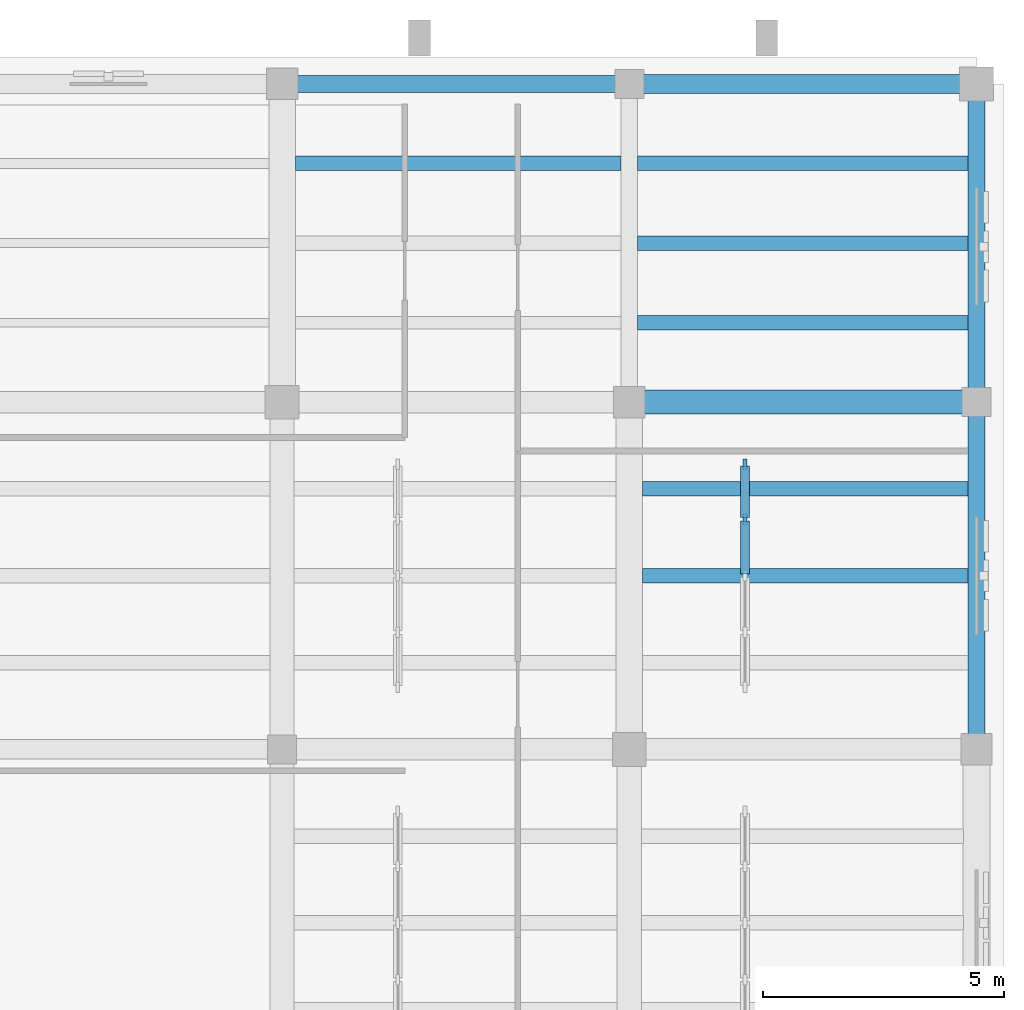
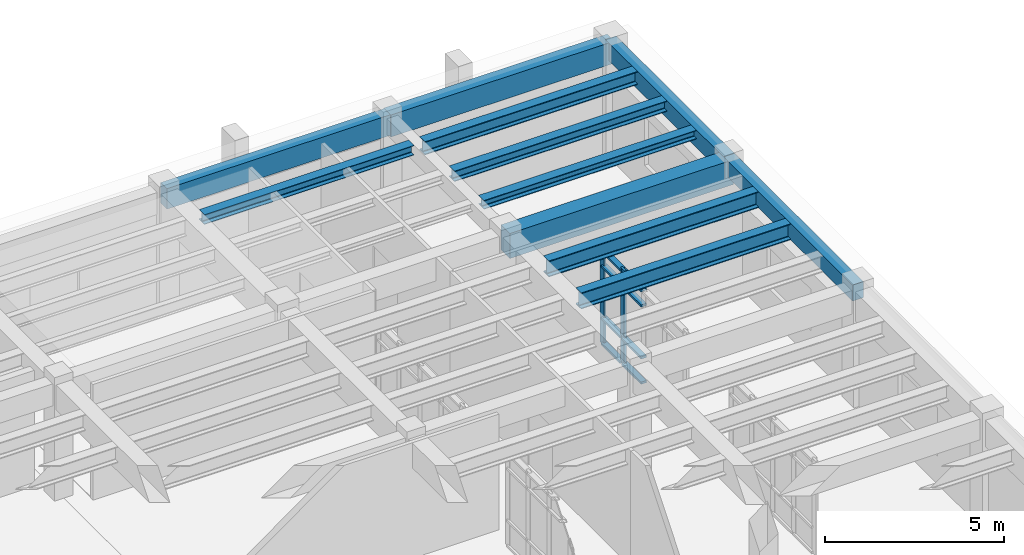
# One storey, part 12 of 40: 11 beams, 10 members, 1 element without a shape of its own.
"""IFC4 building model written with IfcOpenShell, lengths in metres."""

from ifc_helpers import new_model, si_unit, direction, frame, origin, origin_2d, place, context, subcontext, project, spatial, rectangle, i_section, extrude, material, material_profile, profile_set, type_object, element, aggregate, save


model = new_model("IFC4")

# Units and contexts
model_context = context("Model", 3, precision=1e-05, world=origin(), true_north=direction((0.0, 1.0)))
body_context = subcontext(model_context, "Body", "Model", "MODEL_VIEW")
ifc_project = project(units=[si_unit("LENGTHUNIT", "METRE"), si_unit("AREAUNIT", "SQUARE_METRE"), si_unit("VOLUMEUNIT", "CUBIC_METRE"), si_unit("PLANEANGLEUNIT", "RADIAN"), si_unit("MASSUNIT", "GRAM", prefix="KILO")], contexts=[model_context])

# Site, building, storey
site_placement = place(None, origin())
site = spatial("IfcSite", under=ifc_project, at=site_placement, CompositionType="ELEMENT")
building_placement = place(site_placement, origin())
building = spatial("IfcBuilding", under=site, at=building_placement, Name="Mithqara Police Headquarters", CompositionType="ELEMENT")
storey_placement = place(building_placement, frame((0.0, 0.0, 13.800048828125)))
storey = spatial("IfcBuildingStorey", under=building, at=storey_placement, Name="L03", CompositionType="ELEMENT", Elevation=13.800048828125)

# Beams
ifc_material_1 = material(Name="Steel S355JR", Category="steel")
ifc_material_profile_1 = material_profile(ifc_material_1, i_section(OverallWidth=0.300048828125, OverallDepth=0.300048828125, WebThickness=0.010986328125, FlangeThickness=0.01904296875, FilletRadius=0.027099609375, at=origin_2d()), Name="HEB 300")
ifc_profile_set_1 = profile_set([ifc_material_profile_1], Name="Steel S355JR")
beam_type_1 = type_object("IfcBeamType", Name="BEAM HEB300", PredefinedType="BEAM", material=ifc_profile_set_1)
beam_1_placement = place(storey_placement, frame((159.175048828125, 109.050048828125, 3.7900390625), z_axis=(1.0, 0.0, 0.0), x_axis=(0.0, 1.0, 0.0)))
element("IfcBeam", 1, at=beam_1_placement, inside=storey, type_object=beam_type_1, Name="L03 Composite Steel Joist 23-24/R.1", PredefinedType="BEAM", context=body_context, shape_type="SweptSolid", body=[
    extrude(i_section(OverallWidth=0.300048828125, OverallDepth=0.300048828125, WebThickness=0.010986328125, FlangeThickness=0.01904296875, FilletRadius=0.027099609375, at=origin_2d()), origin(), (0.0, 0.0, 1.0), 6.849853515625),
])
ifc_material_profile_2 = material_profile(ifc_material_1, i_section(OverallWidth=0.300048828125, OverallDepth=0.360107421875, WebThickness=0.012451171875, FlangeThickness=0.0224609375, FilletRadius=0.027099609375, at=origin_2d()), Name="HEB 360")
ifc_profile_set_2 = profile_set([ifc_material_profile_2], Name="Steel S355JR")
beam_type_2 = type_object("IfcBeamType", Name="BEAM HEB360", PredefinedType="BEAM", material=ifc_profile_set_2)
beam_2_placement = place(storey_placement, frame((159.175048828125, 110.699951171875, 3.760009765625), z_axis=(1.0, 0.0, 0.0), x_axis=(0.0, 1.0, 0.0)))
element("IfcBeam", 2, at=beam_2_placement, inside=storey, type_object=beam_type_2, Name="L03 Composite Steel Joist 23-24/R.2", PredefinedType="BEAM", context=body_context, shape_type="SweptSolid", body=[
    extrude(i_section(OverallWidth=0.300048828125, OverallDepth=0.360107421875, WebThickness=0.012451171875, FlangeThickness=0.0224609375, FilletRadius=0.027099609375, at=origin_2d()), origin(), (0.0, 0.0, 1.0), 6.849853515625),
])
ifc_material_profile_3 = material_profile(ifc_material_1, i_section(OverallWidth=0.300048828125, OverallDepth=0.449951171875, WebThickness=0.013916015625, FlangeThickness=0.02587890625, FilletRadius=0.027099609375, at=origin_2d()), Name="HEB 450")
ifc_profile_set_3 = profile_set([ifc_material_profile_3], Name="Steel S355JR")
beam_type_3 = type_object("IfcBeamType", Name="BEAM HEB450", PredefinedType="BEAM", material=ifc_profile_set_3)
beam_3_placement = place(storey_placement, frame((159.175048828125, 112.35009765625, 3.71484375), z_axis=(1.0, 0.0, 0.0), x_axis=(0.0, 1.0, 0.0)))
element("IfcBeam", 3, at=beam_3_placement, inside=storey, type_object=beam_type_3, Name="L03 Composite Steel Joist 23-24/R.3", PredefinedType="BEAM", context=body_context, shape_type="SweptSolid", body=[
    extrude(i_section(OverallWidth=0.300048828125, OverallDepth=0.449951171875, WebThickness=0.013916015625, FlangeThickness=0.02587890625, FilletRadius=0.027099609375, at=origin_2d()), origin(), (0.0, 0.0, 1.0), 6.849853515625),
])
ifc_material_profile_4 = material_profile(ifc_material_1, i_section(OverallWidth=0.300048828125, OverallDepth=0.550048828125, WebThickness=0.014892578125, FlangeThickness=0.029052734375, FilletRadius=0.027099609375, at=origin_2d()), Name="HEB 550")
ifc_profile_set_4 = profile_set([ifc_material_profile_4], Name="Steel S355JR")
beam_type_4 = type_object("IfcBeamType", Name="BEAM HEB550", PredefinedType="BEAM", material=ifc_profile_set_4)
for number, where, z_axis, x_axis, name in (
    (4, (159.27490234375, 103.800048828125, 3.6650390625), (1.0, 0.0, 0.0), (0.0, 1.0, 0.0), "L03 Composite Steel Joist 23-24/Q.2"),
    (5, (159.27490234375, 105.60009765625, 3.6650390625), (1.0, 0.0, 0.0), (0.0, 1.0, 0.0), "L03 Composite Steel Joist 23-24/Q.3"),
):
    element("IfcBeam", number, at=place(storey_placement, frame(where, z_axis=z_axis, x_axis=x_axis)), inside=storey, type_object=beam_type_4, Name=name, PredefinedType="BEAM", context=body_context, shape_type="SweptSolid", body=[
        extrude(i_section(OverallWidth=0.300048828125, OverallDepth=0.550048828125, WebThickness=0.014892578125, FlangeThickness=0.029052734375, FilletRadius=0.027099609375, at=origin_2d()), origin(), (0.0, 0.0, 1.0), 6.75),
    ])
ifc_material_2 = material(Name="Concrete C40/50", Category="concrete")
ifc_material_profile_5 = material_profile(ifc_material_2, rectangle(XDim=0.35009765625, YDim=0.550048828125, at=origin_2d()), Name="RC 350x550")
ifc_profile_set_5 = profile_set([ifc_material_profile_5], Name="Concrete C40/50")
beam_type_5 = type_object("IfcBeamType", Name="BEAM RC350X550", PredefinedType="BEAM", material=ifc_profile_set_5)
beam_4_placement = place(storey_placement, frame((166.199951171875, 100.199951171875, 3.6650390625), z_axis=(0.0, 1.0, 0.0), x_axis=(-1.0, 0.0, 0.0)))
element("IfcBeam", 6, at=beam_4_placement, inside=storey, type_object=beam_type_5, Name="L03 Girder 24/Q-R", PredefinedType="BEAM", context=body_context, shape_type="SweptSolid", body=[
    extrude(rectangle(XDim=0.35009765625, YDim=0.550048828125, at=origin_2d()), origin(), (0.0, 0.0, 1.0), 7.199951171875),
])
ifc_material_profile_6 = material_profile(ifc_material_2, rectangle(XDim=0.35009765625, YDim=0.60009765625, at=origin_2d()), Name="RC 350x600")
ifc_profile_set_6 = profile_set([ifc_material_profile_6], Name="Concrete C40/50")
beam_type_6 = type_object("IfcBeamType", Name="BEAM RC350X600", PredefinedType="BEAM", material=ifc_profile_set_6)
beam_5_placement = place(storey_placement, frame((166.199951171875, 107.39990234375, 3.639892578125), z_axis=(0.0, 1.0, 0.0), x_axis=(-1.0, 0.0, 0.0)))
element("IfcBeam", 7, at=beam_5_placement, inside=storey, type_object=beam_type_6, Name="L03 Girder 24/R-S", PredefinedType="BEAM", context=body_context, shape_type="SweptSolid", body=[
    extrude(rectangle(XDim=0.35009765625, YDim=0.60009765625, at=origin_2d()), origin(), (0.0, 0.0, 1.0), 6.60009765625),
])
ifc_material_profile_7 = material_profile(ifc_material_2, rectangle(XDim=0.5, YDim=0.85009765625, at=origin_2d()), Name="RC 500x850")
ifc_profile_set_7 = profile_set([ifc_material_profile_7], Name="Concrete C40/50")
beam_type_7 = type_object("IfcBeamType", Name="BEAM RC500X850", PredefinedType="BEAM", material=ifc_profile_set_7)
beam_6_placement = place(storey_placement, frame((159.0, 107.39990234375, 3.514892578125), z_axis=(1.0, 0.0, 0.0), x_axis=(0.0, 1.0, 0.0)))
element("IfcBeam", 8, at=beam_6_placement, inside=storey, type_object=beam_type_7, Name="L03 Girder 23-24/R", PredefinedType="BEAM", context=body_context, shape_type="SweptSolid", body=[
    extrude(rectangle(XDim=0.5, YDim=0.85009765625, at=origin_2d()), origin(), (0.0, 0.0, 1.0), 7.199951171875),
])

# Curtain wall, members
ifc_material_3 = material(Name="Bronze anodised aluminium 6063-T6", Category="aluminium")
curtain_wall_type = type_object("IfcCurtainWallType", Name="CURTAIN WALL 4700X3220", PredefinedType="USERDEFINED", material=ifc_material_3)
curtain_wall_placement = place(storey_placement, origin())
curtain_wall = element("IfcCurtainWall", 9, at=curtain_wall_placement, inside=storey, type_object=curtain_wall_type, Name="L03 Unitised Glazing CW-16 (CW-INT-L03-X22-Y14-0)", ObjectType="UNITISED GLAZING", PredefinedType="USERDEFINED")
ifc_material_profile_8 = material_profile(ifc_material_3, rectangle(XDim=0.074951171875, YDim=0.219970703125, at=origin_2d()), Name="CWM 75x220")
ifc_profile_set_8 = profile_set([ifc_material_profile_8], Name="Bronze anodised aluminium 6063-T6")
member_type_1 = type_object("IfcMemberType", Name="CWMULLION 75X220", PredefinedType="MULLION", material=ifc_profile_set_8)
member_1_placement = place(storey_placement, frame((161.39990234375, 104.97509765625, 0.0), z_axis=(0.0, 0.0, 1.0), x_axis=(-1.0, 0.0, 0.0)))
member_1 = element("IfcMember", 10, at=member_1_placement, type_object=member_type_1, Name="CW-16 mullion 4", PredefinedType="MULLION", context=body_context, shape_type="SweptSolid", body=[
    extrude(rectangle(XDim=0.074951171875, YDim=0.219970703125, at=origin_2d()), origin(), (0.0, 0.0, 1.0), 3.219970703125),
])
member_2_placement = place(storey_placement, frame((161.39990234375, 106.112548828125, 0.0), z_axis=(0.0, 0.0, 1.0), x_axis=(-1.0, 0.0, 0.0)))
member_2 = element("IfcMember", 11, at=member_2_placement, type_object=member_type_1, Name="CW-16 mullion 5", PredefinedType="MULLION", context=body_context, shape_type="SweptSolid", body=[
    extrude(rectangle(XDim=0.074951171875, YDim=0.219970703125, at=origin_2d()), origin(), (0.0, 0.0, 1.0), 3.219970703125),
])
ifc_material_profile_9 = material_profile(ifc_material_3, rectangle(XDim=0.179931640625, YDim=0.074951171875, at=origin_2d()), Name="CWT 180x75")
ifc_profile_set_9 = profile_set([ifc_material_profile_9], Name="Bronze anodised aluminium 6063-T6")
member_type_2 = type_object("IfcMemberType", Name="CWTRANSOM 180X75", PredefinedType="USERDEFINED", material=ifc_profile_set_9)
member_3_placement = place(storey_placement, frame((161.39990234375, 103.83740234375, 0.037353515625), z_axis=(0.0, 1.0, 0.0), x_axis=(-1.0, 0.0, 0.0)))
member_3 = element("IfcMember", 12, at=member_3_placement, type_object=member_type_2, Name="CW-16 transom 3.1", ObjectType="TRANSOM", PredefinedType="USERDEFINED", context=body_context, shape_type="SweptSolid", body=[
    extrude(rectangle(XDim=0.179931640625, YDim=0.074951171875, at=origin_2d()), origin(), (0.0, 0.0, 1.0), 1.10009765625),
])
member_4_placement = place(storey_placement, frame((161.39990234375, 103.83740234375, 0.89990234375), z_axis=(0.0, 1.0, 0.0), x_axis=(-1.0, 0.0, 0.0)))
member_4 = element("IfcMember", 13, at=member_4_placement, type_object=member_type_2, Name="CW-16 transom 3.2", ObjectType="TRANSOM", PredefinedType="USERDEFINED", context=body_context, shape_type="SweptSolid", body=[
    extrude(rectangle(XDim=0.179931640625, YDim=0.074951171875, at=origin_2d()), origin(), (0.0, 0.0, 1.0), 1.10009765625),
])
member_5_placement = place(storey_placement, frame((161.39990234375, 103.83740234375, 2.669921875), z_axis=(0.0, 1.0, 0.0), x_axis=(-1.0, 0.0, 0.0)))
member_5 = element("IfcMember", 14, at=member_5_placement, type_object=member_type_2, Name="CW-16 transom 3.3", ObjectType="TRANSOM", PredefinedType="USERDEFINED", context=body_context, shape_type="SweptSolid", body=[
    extrude(rectangle(XDim=0.179931640625, YDim=0.074951171875, at=origin_2d()), origin(), (0.0, 0.0, 1.0), 1.10009765625),
])
member_6_placement = place(storey_placement, frame((161.39990234375, 103.83740234375, 3.182373046875), z_axis=(0.0, 1.0, 0.0), x_axis=(-1.0, 0.0, 0.0)))
member_6 = element("IfcMember", 15, at=member_6_placement, type_object=member_type_2, Name="CW-16 transom 3.4", ObjectType="TRANSOM", PredefinedType="USERDEFINED", context=body_context, shape_type="SweptSolid", body=[
    extrude(rectangle(XDim=0.179931640625, YDim=0.074951171875, at=origin_2d()), origin(), (0.0, 0.0, 1.0), 1.10009765625),
])
member_7_placement = place(storey_placement, frame((161.39990234375, 105.012451171875, 0.037353515625), z_axis=(0.0, 1.0, 0.0), x_axis=(-1.0, 0.0, 0.0)))
member_7 = element("IfcMember", 16, at=member_7_placement, type_object=member_type_2, Name="CW-16 transom 4.1", ObjectType="TRANSOM", PredefinedType="USERDEFINED", context=body_context, shape_type="SweptSolid", body=[
    extrude(rectangle(XDim=0.179931640625, YDim=0.074951171875, at=origin_2d()), origin(), (0.0, 0.0, 1.0), 1.0625),
])
member_8_placement = place(storey_placement, frame((161.39990234375, 105.012451171875, 0.89990234375), z_axis=(0.0, 1.0, 0.0), x_axis=(-1.0, 0.0, 0.0)))
member_8 = element("IfcMember", 17, at=member_8_placement, type_object=member_type_2, Name="CW-16 transom 4.2", ObjectType="TRANSOM", PredefinedType="USERDEFINED", context=body_context, shape_type="SweptSolid", body=[
    extrude(rectangle(XDim=0.179931640625, YDim=0.074951171875, at=origin_2d()), origin(), (0.0, 0.0, 1.0), 1.0625),
])
member_9_placement = place(storey_placement, frame((161.39990234375, 105.012451171875, 2.669921875), z_axis=(0.0, 1.0, 0.0), x_axis=(-1.0, 0.0, 0.0)))
member_9 = element("IfcMember", 18, at=member_9_placement, type_object=member_type_2, Name="CW-16 transom 4.3", ObjectType="TRANSOM", PredefinedType="USERDEFINED", context=body_context, shape_type="SweptSolid", body=[
    extrude(rectangle(XDim=0.179931640625, YDim=0.074951171875, at=origin_2d()), origin(), (0.0, 0.0, 1.0), 1.0625),
])
member_10_placement = place(storey_placement, frame((161.39990234375, 105.012451171875, 3.182373046875), z_axis=(0.0, 1.0, 0.0), x_axis=(-1.0, 0.0, 0.0)))
member_10 = element("IfcMember", 19, at=member_10_placement, type_object=member_type_2, Name="CW-16 transom 4.4", ObjectType="TRANSOM", PredefinedType="USERDEFINED", context=body_context, shape_type="SweptSolid", body=[
    extrude(rectangle(XDim=0.179931640625, YDim=0.074951171875, at=origin_2d()), origin(), (0.0, 0.0, 1.0), 1.0625),
])
aggregate(curtain_wall, [member_1, member_2, member_3, member_4, member_5, member_6, member_7, member_8, member_9, member_10])

# Beams
ifc_material_profile_10 = material_profile(ifc_material_1, i_section(OverallWidth=0.300048828125, OverallDepth=0.330078125, WebThickness=0.009521484375, FlangeThickness=0.0166015625, FilletRadius=0.027099609375, at=origin_2d()), Name="HEA 340")
ifc_profile_set_10 = profile_set([ifc_material_profile_10], Name="Steel S355JR")
beam_type_8 = type_object("IfcBeamType", Name="JOIST HEA340", PredefinedType="JOIST", material=ifc_profile_set_10)
beam_7_placement = place(storey_placement, frame((152.074951171875, 112.35009765625, 3.77490234375), z_axis=(1.0, 0.0, 0.0), x_axis=(0.0, 1.0, 0.0)))
element("IfcBeam", 20, at=beam_7_placement, inside=storey, type_object=beam_type_8, Name="L03 Composite Steel Joist 22-23/R.3", PredefinedType="JOIST", context=body_context, shape_type="SweptSolid", body=[
    extrude(i_section(OverallWidth=0.300048828125, OverallDepth=0.330078125, WebThickness=0.009521484375, FlangeThickness=0.0166015625, FilletRadius=0.027099609375, at=origin_2d()), origin(), (0.0, 0.0, 1.0), 6.75),
])
ifc_material_profile_11 = material_profile(ifc_material_2, rectangle(XDim=0.35009765625, YDim=0.699951171875, at=origin_2d()), Name="SPB 350x700")
ifc_profile_set_11 = profile_set([ifc_material_profile_11], Name="Concrete C40/50")
beam_type_9 = type_object("IfcBeamType", Name="SPANDREL 350X700", PredefinedType="SPANDREL", material=ifc_profile_set_11)
beam_8_placement = place(storey_placement, frame((151.800048828125, 114.0, 3.58984375), z_axis=(1.0, 0.0, 0.0), x_axis=(0.0, 1.0, 0.0)))
element("IfcBeam", 21, at=beam_8_placement, inside=storey, type_object=beam_type_9, Name="L03 Girder 22-23/S", PredefinedType="SPANDREL", context=body_context, shape_type="SweptSolid", body=[
    extrude(rectangle(XDim=0.35009765625, YDim=0.699951171875, at=origin_2d()), origin(), (0.0, 0.0, 1.0), 7.199951171875),
])
ifc_material_profile_12 = material_profile(ifc_material_2, rectangle(XDim=0.39990234375, YDim=0.75, at=origin_2d()), Name="SPB 400x750")
ifc_profile_set_12 = profile_set([ifc_material_profile_12], Name="Concrete C40/50")
beam_type_10 = type_object("IfcBeamType", Name="SPANDREL 400X750", PredefinedType="SPANDREL", material=ifc_profile_set_12)
beam_9_placement = place(storey_placement, frame((159.0, 114.0, 3.56494140625), z_axis=(1.0, 0.0, 0.0), x_axis=(0.0, 1.0, 0.0)))
element("IfcBeam", 22, at=beam_9_placement, inside=storey, type_object=beam_type_10, Name="L03 Girder 23-24/S", PredefinedType="SPANDREL", context=body_context, shape_type="SweptSolid", body=[
    extrude(rectangle(XDim=0.39990234375, YDim=0.75, at=origin_2d()), origin(), (0.0, 0.0, 1.0), 7.199951171875),
])

save(model, "model.ifc")
